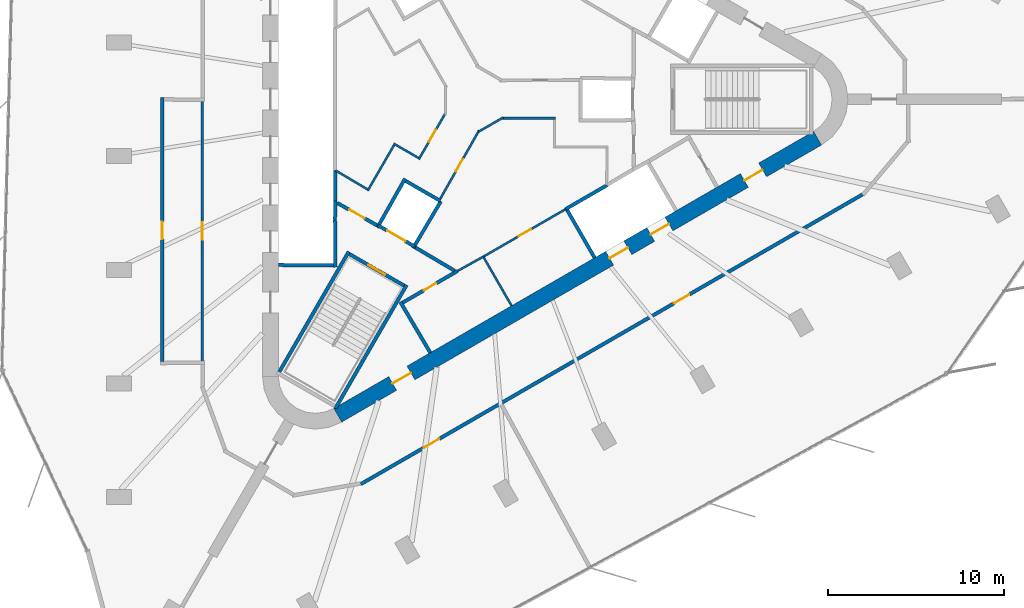
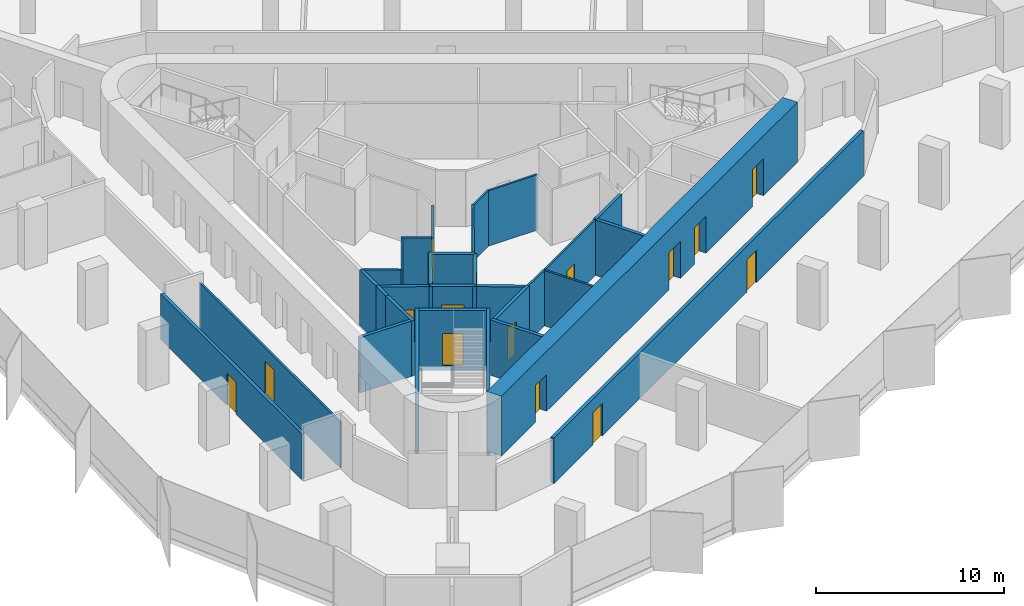
# One storey, part 8 of 13: 31 walls, 15 doors, 15 openings.
"""IFC4 building model written with IfcOpenShell, lengths in metres."""

import ifcopenshell
import ifcopenshell.guid

model = None  # the IFC model being written
_history = None  # IfcOwnerHistory: only IFC2X3 demands one
_inside = {}  # id of a spatial element -> (the spatial element, [elements in it])
_under = {}  # id of a project, library or spatial element -> (it, [spatial elements below it])
_declared = {}  # id of a project -> (the project, [libraries it declares])
_typed = {}  # id of a type object -> (the type object, [elements of that type])
_made_of = {}  # id of a material, layer set ... -> (it, [elements and type objects made of it])


def new_model(schema):
    """Start an empty IFC model of exactly this schema.

    Asked for "IFC4X3", IfcOpenShell would pick the latest addendum, in which some entities
    have other attributes; the version numbers below select the first issue.
    IFC2X3 requires an IfcOwnerHistory on every rooted entity: one is made here for all.
    """
    global model, _history
    if schema == "IFC4X3":
        model = ifcopenshell.file(schema_version=(4, 3, 0, 0))
    else:
        model = ifcopenshell.file(schema=schema)
    _inside.clear()
    _under.clear()
    _declared.clear()
    _typed.clear()
    _made_of.clear()
    _history = None
    if model.schema == "IFC2X3":
        org = make("IfcOrganization", Name="unknown")
        user = make(
            "IfcPersonAndOrganization",
            ThePerson=make("IfcPerson", FamilyName="unknown"),
            TheOrganization=org,
        )
        app = make(
            "IfcApplication",
            ApplicationDeveloper=org,
            Version="unknown",
            ApplicationFullName="unknown",
            ApplicationIdentifier="unknown",
        )
        _history = make(
            "IfcOwnerHistory",
            OwningUser=user,
            OwningApplication=app,
            ChangeAction="ADDED",
            CreationDate=0,
        )
    return model


def make(cls, **values):
    """One entity of the class cls with the attributes given. An attribute that is None is left unset."""
    return model.create_entity(
        cls, **{name: value for name, value in values.items() if value is not None}
    )


def rooted(cls, **values):
    """An entity with a GlobalId (a new one), such as an element, a storey or a relation."""
    return make(cls, GlobalId=ifcopenshell.guid.new(), OwnerHistory=_history, **values)


def si_unit(unit_type, name, prefix=None):
    """IfcSIUnit, for example si_unit("LENGTHUNIT", "METRE", prefix="MILLI")."""
    return make("IfcSIUnit", UnitType=unit_type, Prefix=prefix, Name=name)


def assignment(units):
    """IfcUnitAssignment: the units of a project."""
    return None if units is None else make("IfcUnitAssignment", Units=units)


def point(xyz):
    """IfcCartesianPoint."""
    return None if xyz is None else make("IfcCartesianPoint", Coordinates=xyz)


def direction(xyz):
    """IfcDirection."""
    return None if xyz is None else make("IfcDirection", DirectionRatios=xyz)


def frame(location, z_axis=None, x_axis=None):
    """IfcAxis2Placement3D, a coordinate frame: its origin and axes. An axis left out is left unset."""
    return make(
        "IfcAxis2Placement3D",
        Location=point(location),
        Axis=direction(z_axis),
        RefDirection=direction(x_axis),
    )


def frame_2d(location, x_axis=None):
    """IfcAxis2Placement2D, a coordinate frame in the plane: its origin and x axis."""
    return make(
        "IfcAxis2Placement2D", Location=point(location), RefDirection=direction(x_axis)
    )


def origin():
    """The frame at (0, 0, 0) with its axes left unset."""
    return frame((0.0, 0.0, 0.0))


def place(relative_to, where):
    """IfcLocalPlacement: puts the frame where relative to a parent placement (None: the world)."""
    return make(
        "IfcLocalPlacement", PlacementRelTo=relative_to, RelativePlacement=where
    )


def context(
    kind, dimensions, precision=None, world=None, true_north=None, identifier=None
):
    """IfcGeometricRepresentationContext, for example the 3D "Model" context."""
    return make(
        "IfcGeometricRepresentationContext",
        ContextIdentifier=identifier,
        ContextType=kind,
        CoordinateSpaceDimension=dimensions,
        Precision=precision,
        WorldCoordinateSystem=world,
        TrueNorth=true_north,
    )


def subcontext(parent, identifier, kind, view, scale=None):
    """IfcGeometricRepresentationSubContext, for example "Body" below "Model"."""
    return make(
        "IfcGeometricRepresentationSubContext",
        ContextIdentifier=identifier,
        ContextType=kind,
        ParentContext=parent,
        TargetScale=scale,
        TargetView=view,
    )


def project(units=None, contexts=None):
    """IfcProject with its units and contexts."""
    return rooted(
        "IfcProject",
        Name="project",
        RepresentationContexts=contexts,
        UnitsInContext=assignment(units),
    )


def spatial(cls, under=None, at=None, **own):
    """A site, building, storey or space (cls), placed at a placement, below another one or the project."""
    s = rooted(cls, ObjectPlacement=at, **own)
    if under is not None:
        _under.setdefault(under.id(), (under, []))[1].append(s)
    return s


def profile(cls, at=None, kind="AREA", **sizes):
    """A parametric profile (cls). Its sizes go by their IFC names, for example OverallWidth=200.0."""
    return make(cls, ProfileType=kind, Position=at, **sizes)


def rectangle(**sizes):
    """IfcRectangleProfileDef."""
    return profile("IfcRectangleProfileDef", **sizes)


def extrude(swept, where, along, depth):
    """IfcExtrudedAreaSolid: the profile swept, set in the frame where, extruded along a direction by depth."""
    return make(
        "IfcExtrudedAreaSolid",
        SweptArea=swept,
        Position=where,
        ExtrudedDirection=direction(along),
        Depth=depth,
    )


def shape(context_of_items, identifier, shape_type, items):
    """IfcShapeRepresentation: the items that make up one representation, for example the "Body"."""
    return make(
        "IfcShapeRepresentation",
        ContextOfItems=context_of_items,
        RepresentationIdentifier=identifier,
        RepresentationType=shape_type,
        Items=items,
    )


def material(Name=None, Category=None):
    """IfcMaterial."""
    return make("IfcMaterial", Name=Name, Category=Category)


def layer(
    of_material, thickness, ventilated=None, Name=None, Category=None, Priority=None
):
    """IfcMaterialLayer: one layer of a wall or slab, of a material (None: an air gap)."""
    return make(
        "IfcMaterialLayer",
        Material=of_material,
        LayerThickness=thickness,
        IsVentilated=ventilated,
        Name=Name,
        Category=Category,
        Priority=Priority,
    )


def layer_set(layers, Name=None):
    """IfcMaterialLayerSet."""
    return make("IfcMaterialLayerSet", MaterialLayers=layers, LayerSetName=Name)


def made_of(thing, what):
    """Note that an element or type object is made of a material, layer set ...; save() writes the relation."""
    if what is not None:
        _made_of.setdefault(what.id(), (what, []))[1].append(thing)
    return thing


def type_object(cls, material=None, **own):
    """A type object (cls), such as IfcWallType, which elements share."""
    return made_of(rooted(cls, **own), material)


def element(
    cls,
    number,
    at=None,
    inside=None,
    cuts=None,
    type_object=None,
    material=None,
    context=None,
    identifier="Body",
    shape_type=None,
    held_by="IfcProductDefinitionShape",
    body=None,
    shapes=None,
    **own,
):
    """One element of the class cls, such as IfcWall. Its Tag is "e" and its number.

    at: its placement. inside: the storey or other place that contains it. cuts: it is an
    opening in that element (IfcRelVoidsElement). A single representation is given by context,
    identifier, shape_type and body (its items); several are given by shapes. held_by: the class
    of the entity that holds the representations. save() writes the other relations.
    """
    e = rooted(cls, Tag="e%d" % number, ObjectPlacement=at, **own)
    if body is not None:
        shapes = [shape(context, identifier, shape_type, body)]
    if shapes is not None:
        e.Representation = make(held_by, Representations=shapes)
    if inside is not None:
        _inside.setdefault(inside.id(), (inside, []))[1].append(e)
    if cuts is not None:
        rooted(
            "IfcRelVoidsElement", RelatingBuildingElement=cuts, RelatedOpeningElement=e
        )
    if type_object is not None:
        _typed.setdefault(type_object.id(), (type_object, []))[1].append(e)
    return made_of(e, material)


def fill(opening, filler):
    """IfcRelFillsElement: the door or window that sits in an opening."""
    return rooted(
        "IfcRelFillsElement",
        RelatingOpeningElement=opening,
        RelatedBuildingElement=filler,
    )


def aggregate(whole, parts):
    """IfcRelAggregates: a whole, such as a stair, and the parts it consists of."""
    return rooted("IfcRelAggregates", RelatingObject=whole, RelatedObjects=parts)


def save(model, path):
    """Write the relations noted so far, then the file.

    IfcRelAggregates (storeys below a building ...), IfcRelContainedInSpatialStructure (elements
    in a storey), IfcRelDefinesByType, IfcRelAssociatesMaterial and IfcRelDeclares: one each for
    every whole, place, type object, material and project.
    """
    for whole, parts in _under.values():
        aggregate(whole, parts)
    for where, things in _inside.values():
        rooted(
            "IfcRelContainedInSpatialStructure",
            RelatedElements=things,
            RelatingStructure=where,
        )
    for kind, things in _typed.values():
        rooted("IfcRelDefinesByType", RelatedObjects=things, RelatingType=kind)
    for what, things in _made_of.values():
        rooted("IfcRelAssociatesMaterial", RelatedObjects=things, RelatingMaterial=what)
    for by, libraries in _declared.values():
        rooted("IfcRelDeclares", RelatingContext=by, RelatedDefinitions=libraries)
    model.write(path)


model = new_model("IFC4")

# Units and contexts
model_context = context("Model", 3, precision=1e-05, world=origin(), true_north=direction((0.0, 1.0)))
body_context = subcontext(model_context, "Body", "Model", "MODEL_VIEW")
ifc_project = project(units=[si_unit("LENGTHUNIT", "METRE"), si_unit("AREAUNIT", "SQUARE_METRE"), si_unit("VOLUMEUNIT", "CUBIC_METRE"), si_unit("PLANEANGLEUNIT", "RADIAN"), si_unit("MASSUNIT", "GRAM", prefix="KILO")], contexts=[model_context])

# Site, building, storey
site_placement = place(None, origin())
site = spatial("IfcSite", under=ifc_project, at=site_placement, CompositionType="ELEMENT")
building_placement = place(site_placement, origin())
building = spatial("IfcBuilding", under=site, at=building_placement, Name="Tanit Gate Tower", CompositionType="ELEMENT")
storey_placement = place(building_placement, frame((0.0, 0.0, 322.10009765625)))
storey = spatial("IfcBuildingStorey", under=building, at=storey_placement, Name="L72", CompositionType="ELEMENT", Elevation=322.10009765625)

# Wall, openings, doors
ifc_material_1 = material(Name="Concrete C40/50", Category="concrete")
ifc_layer_1 = layer(ifc_material_1, 0.89990234375)
ifc_layer_set_1 = layer_set([ifc_layer_1], Name="CORE WALL 900 C40/50")
wall_type_1 = type_object("IfcWallType", Name="CORE WALL 900 C40/50", PredefinedType="SHEAR", material=ifc_layer_set_1)
wall_1_placement = place(storey_placement, frame((-7.824951171875, -17.969970703125, 0.0), z_axis=(0.0, 0.0, 1.0), x_axis=(0.866028369851, 0.499994862586, 0.0)))
wall_1 = element("IfcWall", 1, at=wall_1_placement, inside=storey, type_object=wall_type_1, Name="CORE WALL", PredefinedType="SHEAR", context=body_context, shape_type="SweptSolid", body=[
    extrude(rectangle(XDim=31.523193359375, YDim=0.89990234375, at=frame_2d((15.76171875, 0.0))), origin(), (0.0, 0.0, 1.0), 3.89990234375),
])
opening_1_placement = place(wall_1_placement, frame((17.861572265625, 0.0, 0.0)))
opening_1 = element("IfcOpeningElement", 2, at=opening_1_placement, cuts=wall_1, Name="Opening LDSV1-S20", PredefinedType="OPENING", context=body_context, shape_type="SweptSolid", body=[
    extrude(rectangle(XDim=1.199951171875, YDim=2.39990234375, at=frame_2d((0.60009765625, 1.199951171875))), frame((0.0, 0.4599609375, 0.0), z_axis=(0.0, -1.0, 0.0), x_axis=(1.0, 0.0, 0.0)), (0.0, 0.0, 1.0), 0.919921875),
])
opening_2_placement = place(wall_1_placement, frame((20.561767578125, 0.0, 0.0)))
opening_2 = element("IfcOpeningElement", 3, at=opening_2_placement, cuts=wall_1, Name="Opening LDSV2-S20", PredefinedType="OPENING", context=body_context, shape_type="SweptSolid", body=[
    extrude(rectangle(XDim=1.199951171875, YDim=2.39990234375, at=frame_2d((0.60009765625, 1.199951171875))), frame((0.0, 0.4599609375, 0.0), z_axis=(0.0, -1.0, 0.0), x_axis=(1.0, 0.0, 0.0)), (0.0, 0.0, 1.0), 0.919921875),
])
opening_3_placement = place(wall_1_placement, frame((26.711669921875, 0.0, 0.0)))
opening_3 = element("IfcOpeningElement", 4, at=opening_3_placement, cuts=wall_1, Name="Opening F12-S20-S1", PredefinedType="OPENING", context=body_context, shape_type="SweptSolid", body=[
    extrude(rectangle(XDim=1.199951171875, YDim=2.39990234375, at=frame_2d((0.60009765625, 1.199951171875))), frame((0.0, 0.4599609375, 0.0), z_axis=(0.0, -1.0, 0.0), x_axis=(1.0, 0.0, 0.0)), (0.0, 0.0, 1.0), 0.919921875),
])
opening_4_placement = place(wall_1_placement, frame((3.611572265625, 0.0, 0.0)))
opening_4 = element("IfcOpeningElement", 5, at=opening_4_placement, cuts=wall_1, Name="Opening F12-S20-FL3", PredefinedType="OPENING", context=body_context, shape_type="SweptSolid", body=[
    extrude(rectangle(XDim=1.199951171875, YDim=2.39990234375, at=frame_2d((0.60009765625, 1.199951171875))), frame((0.0, 0.4599609375, 0.0), z_axis=(0.0, -1.0, 0.0), x_axis=(1.0, 0.0, 0.0)), (0.0, 0.0, 1.0), 0.919921875),
])
ifc_material_2 = material(Name="Fire-rated steel door leaf", Category="steel")
door_type_1 = type_object("IfcDoorType", Name="INT-DOOR-FIRE-LOBBY-1200", OperationType="NOTDEFINED", PredefinedType="USERDEFINED", material=ifc_material_2)
door_1_placement = place(opening_3_placement, origin())
door_1 = element("IfcDoor", 6, at=door_1_placement, inside=storey, type_object=door_type_1, Name="Door F12-S20-S1", ObjectType="FIRE DOOR", OperationType="SINGLE_SWING_LEFT", OverallHeight=2.39990234375, OverallWidth=1.199951171875, PredefinedType="USERDEFINED", context=body_context, shape_type="SweptSolid", body=[
    extrude(rectangle(XDim=1.199951171875, YDim=2.39990234375, at=frame_2d((0.60009765625, 1.199951171875))), frame((0.0, 0.02490234375, 0.0), z_axis=(0.0, -1.0, 0.0), x_axis=(1.0, 0.0, 0.0)), (0.0, 0.0, 1.0), 0.050048828125),
])
fill(opening_3, door_1)
door_2_placement = place(opening_4_placement, origin())
door_2 = element("IfcDoor", 7, at=door_2_placement, inside=storey, type_object=door_type_1, Name="Door F12-S20-FL3", ObjectType="FIRE DOOR", OperationType="SINGLE_SWING_RIGHT", OverallHeight=2.39990234375, OverallWidth=1.199951171875, PredefinedType="USERDEFINED", context=body_context, shape_type="SweptSolid", body=[
    extrude(rectangle(XDim=1.199951171875, YDim=2.39990234375, at=frame_2d((0.60009765625, 1.199951171875))), frame((0.0, 0.02490234375, 0.0), z_axis=(0.0, -1.0, 0.0), x_axis=(1.0, 0.0, 0.0)), (0.0, 0.0, 1.0), 0.050048828125),
])
fill(opening_4, door_2)
ifc_material_3 = material(Name="Stainless steel sliding door leaf", Category="steel")
door_type_2 = type_object("IfcDoorType", Name="INT-DOOR-LANDING-1200", OperationType="NOTDEFINED", PredefinedType="USERDEFINED", material=ifc_material_3)
door_3_placement = place(opening_1_placement, origin())
door_3 = element("IfcDoor", 8, at=door_3_placement, inside=storey, type_object=door_type_2, Name="Door LDSV1-S20", ObjectType="LANDING DOOR", OperationType="SLIDING_TO_LEFT", OverallHeight=2.39990234375, OverallWidth=1.199951171875, PredefinedType="USERDEFINED", context=body_context, shape_type="SweptSolid", body=[
    extrude(rectangle(XDim=1.199951171875, YDim=2.39990234375, at=frame_2d((0.60009765625, 1.199951171875))), frame((0.0, 0.02490234375, 0.0), z_axis=(0.0, -1.0, 0.0), x_axis=(1.0, 0.0, 0.0)), (0.0, 0.0, 1.0), 0.050048828125),
])
fill(opening_1, door_3)
door_4_placement = place(opening_2_placement, origin())
door_4 = element("IfcDoor", 9, at=door_4_placement, inside=storey, type_object=door_type_2, Name="Door LDSV2-S20", ObjectType="LANDING DOOR", OperationType="SLIDING_TO_LEFT", OverallHeight=2.39990234375, OverallWidth=1.199951171875, PredefinedType="USERDEFINED", context=body_context, shape_type="SweptSolid", body=[
    extrude(rectangle(XDim=1.199951171875, YDim=2.39990234375, at=frame_2d((0.60009765625, 1.199951171875))), frame((0.0, 0.02490234375, 0.0), z_axis=(0.0, -1.0, 0.0), x_axis=(1.0, 0.0, 0.0)), (0.0, 0.0, 1.0), 0.050048828125),
])
fill(opening_2, door_4)

# Wall
ifc_material_4 = material(Name="Fire-rated gypsum board partition")
ifc_layer_2 = layer(ifc_material_4, 0.199951171875)
ifc_layer_set_2 = layer_set([ifc_layer_2], Name="INT-WALL-COMPARTMENT")
wall_type_2 = type_object("IfcWallType", Name="INT-WALL-COMPARTMENT", PredefinedType="PARTITIONING", material=ifc_layer_set_2)
wall_2_placement = place(storey_placement, frame((-4.259765625, -11.523681640625, 0.0), z_axis=(0.0, 0.0, 1.0), x_axis=(0.507997497166, -0.861358544901, 0.0)))
element("IfcWall", 10, at=wall_2_placement, inside=storey, type_object=wall_type_2, Name="Wall Compartment W053", PredefinedType="PARTITIONING", context=body_context, shape_type="SweptSolid", body=[
    extrude(rectangle(XDim=3.350341796875, YDim=0.199951171875, at=frame_2d((1.67529296875, 0.0))), origin(), (0.0, 0.0, 1.0), 3.599853515625),
])

# Wall, opening, door
wall_3_placement = place(storey_placement, frame((-1.02392578125, -9.77099609375, 0.0), z_axis=(0.0, 0.0, 1.0), x_axis=(-0.866029903013, -0.499992207027, 0.0)))
wall_3 = element("IfcWall", 11, at=wall_3_placement, inside=storey, type_object=wall_type_2, Name="Wall Compartment W054", PredefinedType="PARTITIONING", context=body_context, shape_type="SweptSolid", body=[
    extrude(rectangle(XDim=3.57763671875, YDim=0.199951171875, at=frame_2d((1.788818359375, 0.0))), origin(), (0.0, 0.0, 1.0), 3.599853515625),
])
opening_5_placement = place(wall_3_placement, frame((1.388916015625, 0.0, 0.0)))
opening_5 = element("IfcOpeningElement", 12, at=opening_5_placement, cuts=wall_3, Name="Opening R08-S20-15", PredefinedType="OPENING", context=body_context, shape_type="SweptSolid", body=[
    extrude(rectangle(XDim=0.800048828125, YDim=2.10009765625, at=frame_2d((0.39990234375, 1.050048828125))), frame((0.0, 0.10986328125, 0.0), z_axis=(0.0, -1.0, 0.0), x_axis=(1.0, 0.0, 0.0)), (0.0, 0.0, 1.0), 0.219970703125),
])
ifc_material_5 = material(Name="Timber door leaf", Category="wood")
door_type_3 = type_object("IfcDoorType", Name="INT-DOOR-RISER-800", OperationType="NOTDEFINED", PredefinedType="USERDEFINED", material=ifc_material_5)
door_5_placement = place(opening_5_placement, origin())
door_5 = element("IfcDoor", 13, at=door_5_placement, inside=storey, type_object=door_type_3, Name="Door R08-S20-15", ObjectType="FIRE DOOR", OperationType="SINGLE_SWING_LEFT", OverallHeight=2.10009765625, OverallWidth=0.800048828125, PredefinedType="USERDEFINED", context=body_context, shape_type="SweptSolid", body=[
    extrude(rectangle(XDim=0.800048828125, YDim=2.10009765625, at=frame_2d((0.39990234375, 1.050048828125))), frame((0.0, 0.02490234375, 0.0), z_axis=(0.0, -1.0, 0.0), x_axis=(1.0, 0.0, 0.0)), (0.0, 0.0, 1.0), 0.050048828125),
])
fill(opening_5, door_5)

# Wall
wall_4_placement = place(storey_placement, frame((-3.400634765625, -8.43017578125, 0.0), z_axis=(0.0, 0.0, 1.0), x_axis=(0.860630814782, -0.509229418482, 0.0)))
element("IfcWall", 14, at=wall_4_placement, inside=storey, type_object=wall_type_2, Name="Wall Compartment W063", PredefinedType="PARTITIONING", context=body_context, shape_type="SweptSolid", body=[
    extrude(rectangle(XDim=2.581787109375, YDim=0.199951171875, at=frame_2d((1.291015625, 0.0))), origin(), (0.0, 0.0, 1.0), 3.599853515625),
])

# Wall, opening, door
wall_5_placement = place(storey_placement, frame((-7.849365234375, -5.893798828125, 0.0), z_axis=(0.0, 0.0, 1.0), x_axis=(0.871363259478, -0.490638431059, 0.0)))
wall_5 = element("IfcWall", 15, at=wall_5_placement, inside=storey, type_object=wall_type_2, Name="Wall Compartment W064", PredefinedType="PARTITIONING", context=body_context, shape_type="SweptSolid", body=[
    extrude(rectangle(XDim=2.5810546875, YDim=0.199951171875, at=frame_2d((1.29052734375, 0.0))), origin(), (0.0, 0.0, 1.0), 3.599853515625),
])
opening_6_placement = place(wall_5_placement, frame((0.79052734375, 0.0, 0.0)))
opening_6 = element("IfcOpeningElement", 16, at=opening_6_placement, cuts=wall_5, Name="Opening F10-S20-08", PredefinedType="OPENING", context=body_context, shape_type="SweptSolid", body=[
    extrude(rectangle(XDim=1.0, YDim=2.10009765625, at=frame_2d((0.5, 1.050048828125))), frame((0.0, 0.10986328125, 0.0), z_axis=(0.0, -1.0, 0.0), x_axis=(1.0, 0.0, 0.0)), (0.0, 0.0, 1.0), 0.219970703125),
])
ifc_material_6 = material(Name="Fire-rated steel door leaf", Category="steel")
door_type_4 = type_object("IfcDoorType", Name="INT-DOOR-FIRE-1000", OperationType="NOTDEFINED", PredefinedType="USERDEFINED", material=ifc_material_6)
door_6_placement = place(opening_6_placement, origin())
door_6 = element("IfcDoor", 17, at=door_6_placement, inside=storey, type_object=door_type_4, Name="Door F10-S20-08", ObjectType="FIRE DOOR", OperationType="SINGLE_SWING_RIGHT", OverallHeight=2.10009765625, OverallWidth=1.0, PredefinedType="USERDEFINED", context=body_context, shape_type="SweptSolid", body=[
    extrude(rectangle(XDim=1.0, YDim=2.10009765625, at=frame_2d((0.5, 1.050048828125))), frame((0.0, 0.02490234375, 0.0), z_axis=(0.0, -1.0, 0.0), x_axis=(1.0, 0.0, 0.0)), (0.0, 0.0, 1.0), 0.050048828125),
])
fill(opening_6, door_6)

wall_6_placement = place(storey_placement, frame((-17.800048828125, 0.10009765625, 0.0), z_axis=(0.0, 0.0, 1.0), x_axis=(0.0, -1.0, 0.0)))
wall_6 = element("IfcWall", 18, at=wall_6_placement, inside=storey, type_object=wall_type_2, Name="Wall Compartment W085", PredefinedType="PARTITIONING", context=body_context, shape_type="SweptSolid", body=[
    extrude(rectangle(XDim=15.0, YDim=0.199951171875, at=frame_2d((7.5, 0.0))), origin(), (0.0, 0.0, 1.0), 2.969970703125),
])
opening_7_placement = place(wall_6_placement, frame((7.050048828125, 0.0, 0.0)))
opening_7 = element("IfcOpeningElement", 19, at=opening_7_placement, cuts=wall_6, Name="Opening F10-S20-23", PredefinedType="OPENING", context=body_context, shape_type="SweptSolid", body=[
    extrude(rectangle(XDim=1.0, YDim=2.10009765625, at=frame_2d((0.5, 1.050048828125))), frame((0.0, 0.10986328125, 0.0), z_axis=(0.0, -1.0, 0.0), x_axis=(1.0, 0.0, 0.0)), (0.0, 0.0, 1.0), 0.219970703125),
])
door_7_placement = place(opening_7_placement, origin())
door_7 = element("IfcDoor", 20, at=door_7_placement, inside=storey, type_object=door_type_4, Name="Door F10-S20-23", ObjectType="FIRE DOOR", OperationType="SINGLE_SWING_RIGHT", OverallHeight=2.10009765625, OverallWidth=1.0, PredefinedType="USERDEFINED", context=body_context, shape_type="SweptSolid", body=[
    extrude(rectangle(XDim=1.0, YDim=2.10009765625, at=frame_2d((0.5, 1.050048828125))), frame((0.0, 0.02490234375, 0.0), z_axis=(0.0, -1.0, 0.0), x_axis=(1.0, 0.0, 0.0)), (0.0, 0.0, 1.0), 0.050048828125),
])
fill(opening_7, door_7)

# Wall, openings, doors
wall_7_placement = place(storey_placement, frame((-6.505126953125, -21.884521484375, 0.0), z_axis=(0.0, 0.0, 1.0), x_axis=(0.86602457258, 0.500001439686, 0.0)))
wall_7 = element("IfcWall", 21, at=wall_7_placement, inside=storey, type_object=wall_type_2, Name="Wall Compartment W105", PredefinedType="PARTITIONING", context=body_context, shape_type="SweptSolid", body=[
    extrude(rectangle(XDim=32.95166015625, YDim=0.199951171875, at=frame_2d((16.475830078125, 0.0))), origin(), (0.0, 0.0, 1.0), 2.969970703125),
])
opening_8_placement = place(wall_7_placement, frame((20.569091796875, 0.0, 0.0)))
opening_8 = element("IfcOpeningElement", 22, at=opening_8_placement, cuts=wall_7, Name="Opening F10-S20-27", PredefinedType="OPENING", context=body_context, shape_type="SweptSolid", body=[
    extrude(rectangle(XDim=1.0, YDim=2.10009765625, at=frame_2d((0.5, 1.050048828125))), frame((0.0, 0.10986328125, 0.0), z_axis=(0.0, -1.0, 0.0), x_axis=(1.0, 0.0, 0.0)), (0.0, 0.0, 1.0), 0.219970703125),
])
opening_9_placement = place(wall_7_placement, frame((4.143310546875, 0.0, 0.0)))
opening_9 = element("IfcOpeningElement", 23, at=opening_9_placement, cuts=wall_7, Name="Opening F10-S20-28", PredefinedType="OPENING", context=body_context, shape_type="SweptSolid", body=[
    extrude(rectangle(XDim=1.0, YDim=2.10009765625, at=frame_2d((0.5, 1.050048828125))), frame((0.0, 0.10986328125, 0.0), z_axis=(0.0, -1.0, 0.0), x_axis=(1.0, 0.0, 0.0)), (0.0, 0.0, 1.0), 0.219970703125),
])
door_8_placement = place(opening_8_placement, origin())
door_8 = element("IfcDoor", 24, at=door_8_placement, inside=storey, type_object=door_type_4, Name="Door F10-S20-27", ObjectType="FIRE DOOR", OperationType="SINGLE_SWING_RIGHT", OverallHeight=2.10009765625, OverallWidth=1.0, PredefinedType="USERDEFINED", context=body_context, shape_type="SweptSolid", body=[
    extrude(rectangle(XDim=1.0, YDim=2.10009765625, at=frame_2d((0.5, 1.050048828125))), frame((0.0, 0.02490234375, 0.0), z_axis=(0.0, -1.0, 0.0), x_axis=(1.0, 0.0, 0.0)), (0.0, 0.0, 1.0), 0.050048828125),
])
fill(opening_8, door_8)
door_9_placement = place(opening_9_placement, origin())
door_9 = element("IfcDoor", 25, at=door_9_placement, inside=storey, type_object=door_type_4, Name="Door F10-S20-28", ObjectType="FIRE DOOR", OperationType="SINGLE_SWING_RIGHT", OverallHeight=2.10009765625, OverallWidth=1.0, PredefinedType="USERDEFINED", context=body_context, shape_type="SweptSolid", body=[
    extrude(rectangle(XDim=1.0, YDim=2.10009765625, at=frame_2d((0.5, 1.050048828125))), frame((0.0, 0.02490234375, 0.0), z_axis=(0.0, -1.0, 0.0), x_axis=(1.0, 0.0, 0.0)), (0.0, 0.0, 1.0), 0.050048828125),
])
fill(opening_9, door_9)

# Walls
ifc_material_7 = material(Name="Gypsum board partition")
ifc_layer_3 = layer(ifc_material_7, 0.1201171875)
ifc_layer_set_3 = layer_set([ifc_layer_3], Name="INT-WALL-PARTITION")
wall_type_3 = type_object("IfcWallType", Name="INT-WALL-PARTITION", PredefinedType="PARTITIONING", material=ifc_layer_set_3)
wall_8_placement = place(storey_placement, frame((2.066650390625, -11.739501953125, 0.0), z_axis=(0.0, 0.0, 1.0), x_axis=(-0.499984717929, 0.866034226713, 0.0)))
element("IfcWall", 26, at=wall_8_placement, inside=storey, type_object=wall_type_3, Name="Wall Partition W052", PredefinedType="PARTITIONING", context=body_context, shape_type="SweptSolid", body=[
    extrude(rectangle(XDim=3.25, YDim=0.1201171875, at=frame_2d((1.625, 0.0))), origin(), (0.0, 0.0, 1.0), 3.599853515625),
])
wall_9_placement = place(storey_placement, frame((-1.0234375, -9.77197265625, 0.0), z_axis=(0.0, 0.0, 1.0), x_axis=(0.874290944206, 0.485402250592, 0.0)))
element("IfcWall", 27, at=wall_9_placement, inside=storey, type_object=wall_type_3, Name="Wall Partition W055", PredefinedType="PARTITIONING", context=body_context, shape_type="SweptSolid", body=[
    extrude(rectangle(XDim=1.72265625, YDim=0.1201171875, at=frame_2d((0.861328125, 0.0))), origin(), (0.0, 0.0, 1.0), 3.599853515625),
])

# Wall, opening, door
wall_10_placement = place(storey_placement, frame((0.482666015625, -8.935791015625, 0.0), z_axis=(0.0, 0.0, 1.0), x_axis=(0.866028230842, 0.499995103361, 0.0)))
wall_10 = element("IfcWall", 28, at=wall_10_placement, inside=storey, type_object=wall_type_3, Name="Wall Partition W056", PredefinedType="PARTITIONING", context=body_context, shape_type="SweptSolid", body=[
    extrude(rectangle(XDim=5.39990234375, YDim=0.1201171875, at=frame_2d((2.699951171875, 0.0))), origin(), (0.0, 0.0, 1.0), 3.599853515625),
])
opening_10_placement = place(wall_10_placement, frame((2.300048828125, 0.0, 0.0)))
opening_10 = element("IfcOpeningElement", 29, at=opening_10_placement, cuts=wall_10, Name="Opening R08-S20-16", PredefinedType="OPENING", context=body_context, shape_type="SweptSolid", body=[
    extrude(rectangle(XDim=0.800048828125, YDim=2.10009765625, at=frame_2d((0.39990234375, 1.050048828125))), frame((0.0, 0.070068359375, 0.0), z_axis=(0.0, -1.0, 0.0), x_axis=(1.0, 0.0, 0.0)), (0.0, 0.0, 1.0), 0.14013671875),
])
door_10_placement = place(opening_10_placement, origin())
door_10 = element("IfcDoor", 30, at=door_10_placement, inside=storey, type_object=door_type_3, Name="Door R08-S20-16", ObjectType="FIRE DOOR", OperationType="SINGLE_SWING_LEFT", OverallHeight=2.10009765625, OverallWidth=0.800048828125, PredefinedType="USERDEFINED", context=body_context, shape_type="SweptSolid", body=[
    extrude(rectangle(XDim=0.800048828125, YDim=2.10009765625, at=frame_2d((0.39990234375, 1.050048828125))), frame((0.0, 0.02490234375, 0.0), z_axis=(0.0, -1.0, 0.0), x_axis=(1.0, 0.0, 0.0)), (0.0, 0.0, 1.0), 0.050048828125),
])
fill(opening_10, door_10)

wall_11_placement = place(storey_placement, frame((0.223876953125, -1.760986328125, 0.0), z_axis=(0.0, 0.0, 1.0), x_axis=(-0.494327216836, -0.869275907118, 0.0)))
wall_11 = element("IfcWall", 31, at=wall_11_placement, inside=storey, type_object=wall_type_3, Name="Wall Partition W068", PredefinedType="PARTITIONING", context=body_context, shape_type="SweptSolid", body=[
    extrude(rectangle(XDim=4.487060546875, YDim=0.1201171875, at=frame_2d((2.24365234375, 0.0))), origin(), (0.0, 0.0, 1.0), 3.599853515625),
])
opening_11_placement = place(wall_11_placement, frame((1.89453125, 0.0, 0.0)))
opening_11 = element("IfcOpeningElement", 32, at=opening_11_placement, cuts=wall_11, Name="Opening R08-S20-11", PredefinedType="OPENING", context=body_context, shape_type="SweptSolid", body=[
    extrude(rectangle(XDim=0.800048828125, YDim=2.10009765625, at=frame_2d((0.39990234375, 1.050048828125))), frame((0.0, 0.070068359375, 0.0), z_axis=(0.0, -1.0, 0.0), x_axis=(1.0, 0.0, 0.0)), (0.0, 0.0, 1.0), 0.14013671875),
])
door_11_placement = place(opening_11_placement, origin())
door_11 = element("IfcDoor", 33, at=door_11_placement, inside=storey, type_object=door_type_3, Name="Door R08-S20-11", ObjectType="FIRE DOOR", OperationType="SINGLE_SWING_RIGHT", OverallHeight=2.10009765625, OverallWidth=0.800048828125, PredefinedType="USERDEFINED", context=body_context, shape_type="SweptSolid", body=[
    extrude(rectangle(XDim=0.800048828125, YDim=2.10009765625, at=frame_2d((0.39990234375, 1.050048828125))), frame((0.0, 0.02490234375, 0.0), z_axis=(0.0, -1.0, 0.0), x_axis=(1.0, 0.0, 0.0)), (0.0, 0.0, 1.0), 0.050048828125),
])
fill(opening_11, door_11)

# Walls
wall_12_placement = place(storey_placement, frame((1.60546875, -1.02294921875, 0.0), z_axis=(0.0, 0.0, 1.0), x_axis=(-0.866001581989, -0.50004125829, 0.0)))
element("IfcWall", 34, at=wall_12_placement, inside=storey, type_object=wall_type_3, Name="Wall Partition W069", PredefinedType="PARTITIONING", context=body_context, shape_type="SweptSolid", body=[
    extrude(rectangle(XDim=1.635009765625, YDim=0.1201171875, at=frame_2d((0.8173828125, 0.0))), origin(), (0.0, 0.0, 1.0), 3.599853515625),
])
wall_13_placement = place(storey_placement, frame((4.56005859375, -1.074951171875, 0.0), z_axis=(0.0, 0.0, 1.0), x_axis=(-1.0, 0.0, 0.0)))
element("IfcWall", 35, at=wall_13_placement, inside=storey, type_object=wall_type_3, Name="Wall Partition W070", PredefinedType="PARTITIONING", context=body_context, shape_type="SweptSolid", body=[
    extrude(rectangle(XDim=3.02587890625, YDim=0.1201171875, at=frame_2d((1.512939453125, 0.0))), origin(), (0.0, 0.0, 1.0), 3.599853515625),
])

# Wall, opening, door
wall_14_placement = place(storey_placement, frame((-3.2109375, -3.41162109375, 0.0), z_axis=(0.0, 0.0, 1.0), x_axis=(0.499983190554, 0.866035108505, 0.0)))
wall_14 = element("IfcWall", 36, at=wall_14_placement, inside=storey, type_object=wall_type_3, Name="Wall Partition W079", PredefinedType="PARTITIONING", context=body_context, shape_type="SweptSolid", body=[
    extrude(rectangle(XDim=3.02587890625, YDim=0.1201171875, at=frame_2d((1.512939453125, 0.0))), origin(), (0.0, 0.0, 1.0), 3.599853515625),
])
opening_12_placement = place(wall_14_placement, frame((1.142822265625, 0.0, 0.0)))
opening_12 = element("IfcOpeningElement", 37, at=opening_12_placement, cuts=wall_14, Name="Opening R08-S20-12", PredefinedType="OPENING", context=body_context, shape_type="SweptSolid", body=[
    extrude(rectangle(XDim=0.800048828125, YDim=2.10009765625, at=frame_2d((0.39990234375, 1.050048828125))), frame((0.0, 0.070068359375, 0.0), z_axis=(0.0, -1.0, 0.0), x_axis=(1.0, 0.0, 0.0)), (0.0, 0.0, 1.0), 0.14013671875),
])
door_12_placement = place(opening_12_placement, origin())
door_12 = element("IfcDoor", 38, at=door_12_placement, inside=storey, type_object=door_type_3, Name="Door R08-S20-12", ObjectType="FIRE DOOR", OperationType="SINGLE_SWING_LEFT", OverallHeight=2.10009765625, OverallWidth=0.800048828125, PredefinedType="USERDEFINED", context=body_context, shape_type="SweptSolid", body=[
    extrude(rectangle(XDim=0.800048828125, YDim=2.10009765625, at=frame_2d((0.39990234375, 1.050048828125))), frame((0.0, 0.02490234375, 0.0), z_axis=(0.0, -1.0, 0.0), x_axis=(1.0, 0.0, 0.0)), (0.0, 0.0, 1.0), 0.050048828125),
])
fill(opening_12, door_12)

# Walls
wall_15_placement = place(storey_placement, frame((-4.64013671875, -2.51708984375, 0.0), z_axis=(0.0, 0.0, 1.0), x_axis=(0.866015446554, -0.500017246033, 0.0)))
element("IfcWall", 39, at=wall_15_placement, inside=storey, type_object=wall_type_3, Name="Wall Partition W080", PredefinedType="PARTITIONING", context=body_context, shape_type="SweptSolid", body=[
    extrude(rectangle(XDim=1.625, YDim=0.1201171875, at=frame_2d((0.8125, 0.0))), origin(), (0.0, 0.0, 1.0), 3.599853515625),
])
wall_16_placement = place(storey_placement, frame((-6.1181640625, -5.197265625, 0.0), z_axis=(0.0, 0.0, 1.0), x_axis=(0.499990139034, 0.866031096941, 0.0)))
element("IfcWall", 40, at=wall_16_placement, inside=storey, type_object=wall_type_3, Name="Wall Partition W081", PredefinedType="PARTITIONING", context=body_context, shape_type="SweptSolid", body=[
    extrude(rectangle(XDim=3.0, YDim=0.1201171875, at=frame_2d((1.5, 0.0))), origin(), (0.0, 0.0, 1.0), 3.599853515625),
])
wall_17_placement = place(storey_placement, frame((-7.949951171875, -4.041015625, 0.0), z_axis=(0.0, 0.0, 1.0), x_axis=(0.860112457103, -0.510104461004, 0.0)))
element("IfcWall", 41, at=wall_17_placement, inside=storey, type_object=wall_type_3, Name="Wall Partition W082", PredefinedType="PARTITIONING", context=body_context, shape_type="SweptSolid", body=[
    extrude(rectangle(XDim=2.1044921875, YDim=0.1201171875, at=frame_2d((1.05224609375, 0.0))), origin(), (0.0, 0.0, 1.0), 3.599853515625),
])

# Wall, opening, door
wall_18_placement = place(storey_placement, frame((-15.530029296875, 0.0, 0.0), z_axis=(0.0, 0.0, 1.0), x_axis=(0.0, -1.0, 0.0)))
wall_18 = element("IfcWall", 42, at=wall_18_placement, inside=storey, type_object=wall_type_3, Name="Wall Partition W083", PredefinedType="PARTITIONING", context=body_context, shape_type="SweptSolid", body=[
    extrude(rectangle(XDim=15.0, YDim=0.1201171875, at=frame_2d((7.5, 0.0))), origin(), (0.0, 0.0, 1.0), 2.969970703125),
])
opening_13_placement = place(wall_18_placement, frame((7.0, 0.0, 0.0)))
opening_13 = element("IfcOpeningElement", 43, at=opening_13_placement, cuts=wall_18, Name="Opening D10-S20-18", PredefinedType="OPENING", context=body_context, shape_type="SweptSolid", body=[
    extrude(rectangle(XDim=1.0, YDim=2.10009765625, at=frame_2d((0.5, 1.050048828125))), frame((0.0, 0.070068359375, 0.0), z_axis=(0.0, -1.0, 0.0), x_axis=(1.0, 0.0, 0.0)), (0.0, 0.0, 1.0), 0.14013671875),
])
ifc_material_8 = material(Name="Timber door leaf", Category="wood")
door_type_5 = type_object("IfcDoorType", Name="INT-DOOR-SINGLE-1000", OperationType="NOTDEFINED", PredefinedType="NOTDEFINED", material=ifc_material_8)
door_13_placement = place(opening_13_placement, origin())
door_13 = element("IfcDoor", 44, at=door_13_placement, inside=storey, type_object=door_type_5, Name="Door D10-S20-18", OperationType="SINGLE_SWING_LEFT", OverallHeight=2.10009765625, OverallWidth=1.0, PredefinedType="NOTDEFINED", context=body_context, shape_type="SweptSolid", body=[
    extrude(rectangle(XDim=1.0, YDim=2.10009765625, at=frame_2d((0.5, 1.050048828125))), frame((0.0, 0.02490234375, 0.0), z_axis=(0.0, -1.0, 0.0), x_axis=(1.0, 0.0, 0.0)), (0.0, 0.0, 1.0), 0.050048828125),
])
fill(opening_13, door_13)

# Walls
ifc_material_9 = material(Name="Gypsum shaft wall system")
ifc_layer_4 = layer(ifc_material_9, 0.199951171875)
ifc_layer_set_4 = layer_set([ifc_layer_4], Name="INT-WALL-SHAFT")
wall_type_4 = type_object("IfcWallType", Name="INT-WALL-SHAFT", PredefinedType="PLUMBINGWALL", material=ifc_layer_set_4)
wall_19_placement = place(storey_placement, frame((-7.949951171875, -5.7724609375, 0.0), z_axis=(0.0, 0.0, 1.0), x_axis=(-0.030803413295, -0.999525462272, 0.0)))
element("IfcWall", 45, at=wall_19_placement, inside=storey, type_object=wall_type_4, Name="Wall Shaft W008", PredefinedType="PLUMBINGWALL", context=body_context, shape_type="SweptSolid", body=[
    extrude(rectangle(XDim=1.077880859375, YDim=0.199951171875, at=frame_2d((0.5390625, 0.0))), origin(), (0.0, 0.0, 1.0), 3.599853515625),
])
wall_20_placement = place(storey_placement, frame((-7.971435546875, -4.050048828125, 0.0), z_axis=(0.0, 0.0, 1.0), x_axis=(0.012042535896, -0.999927486035, 0.0)))
element("IfcWall", 46, at=wall_20_placement, inside=storey, type_object=wall_type_4, Name="Wall Shaft W009", PredefinedType="PLUMBINGWALL", context=body_context, shape_type="SweptSolid", body=[
    extrude(rectangle(XDim=1.844970703125, YDim=0.199951171875, at=frame_2d((0.92236328125, 0.0))), origin(), (0.0, 0.0, 1.0), 3.599853515625),
])
wall_21_placement = place(storey_placement, frame((-7.97900390625, -6.85009765625, 0.0), z_axis=(0.0, 0.0, 1.0), x_axis=(0.011121475088, -0.999938154483, 0.0)))
element("IfcWall", 47, at=wall_21_placement, inside=storey, type_object=wall_type_4, Name="Wall Shaft W010", PredefinedType="PLUMBINGWALL", context=body_context, shape_type="SweptSolid", body=[
    extrude(rectangle(XDim=2.7001953125, YDim=0.199951171875, at=frame_2d((1.35009765625, 0.0))), origin(), (0.0, 0.0, 1.0), 3.599853515625),
])
wall_22_placement = place(storey_placement, frame((-8.050048828125, -9.448974609375, 0.0), z_axis=(0.0, 0.0, 1.0), x_axis=(-0.999957467379, 0.009222983926, 0.0)))
element("IfcWall", 48, at=wall_22_placement, inside=storey, type_object=wall_type_4, Name="Wall Shaft W011", PredefinedType="PLUMBINGWALL", context=body_context, shape_type="SweptSolid", body=[
    extrude(rectangle(XDim=3.150146484375, YDim=0.199951171875, at=frame_2d((1.5751953125, 0.0))), origin(), (0.0, 0.0, 1.0), 3.599853515625),
])
wall_23_placement = place(storey_placement, frame((6.795166015625, -9.009521484375, 0.0), z_axis=(0.0, 0.0, 1.0), x_axis=(-0.499984717929, 0.866034226713, 0.0)))
element("IfcWall", 49, at=wall_23_placement, inside=storey, type_object=wall_type_4, Name="Wall Shaft W015", PredefinedType="PLUMBINGWALL", context=body_context, shape_type="SweptSolid", body=[
    extrude(rectangle(XDim=3.25, YDim=0.199951171875, at=frame_2d((1.625, 0.0))), origin(), (0.0, 0.0, 1.0), 3.599853515625),
])
wall_24_placement = place(storey_placement, frame((5.1591796875, -6.23583984375, 0.0), z_axis=(0.0, 0.0, 1.0), x_axis=(0.866036505625, 0.499980770555, 0.0)))
element("IfcWall", 50, at=wall_24_placement, inside=storey, type_object=wall_type_4, Name="Wall Shaft W016", PredefinedType="PLUMBINGWALL", context=body_context, shape_type="SweptSolid", body=[
    extrude(rectangle(XDim=2.69970703125, YDim=0.199951171875, at=frame_2d((1.349853515625, 0.0))), origin(), (0.0, 0.0, 1.0), 3.599853515625),
])

# Wall, opening, door
wall_25_placement = place(storey_placement, frame((-3.44580078125, -8.3681640625, 0.0), z_axis=(0.0, 0.0, 1.0), x_axis=(-0.866024647952, 0.500001309137, 0.0)))
wall_25 = element("IfcWall", 51, at=wall_25_placement, inside=storey, type_object=wall_type_4, Name="Wall Shaft W040", PredefinedType="PLUMBINGWALL", context=body_context, shape_type="SweptSolid", body=[
    extrude(rectangle(XDim=2.39990234375, YDim=0.199951171875, at=frame_2d((1.199951171875, 0.0))), origin(), (0.0, 0.0, 1.0), 3.599853515625),
])
opening_14_placement = place(wall_25_placement, frame((0.60009765625, 0.0, 0.0)))
opening_14 = element("IfcOpeningElement", 52, at=opening_14_placement, cuts=wall_25, Name="Opening LDFL3-L72", PredefinedType="OPENING", context=body_context, shape_type="SweptSolid", body=[
    extrude(rectangle(XDim=1.199951171875, YDim=2.39990234375, at=frame_2d((0.60009765625, 1.199951171875))), frame((0.0, 0.10986328125, 0.0), z_axis=(0.0, -1.0, 0.0), x_axis=(1.0, 0.0, 0.0)), (0.0, 0.0, 1.0), 0.219970703125),
])
door_14_placement = place(opening_14_placement, origin())
door_14 = element("IfcDoor", 53, at=door_14_placement, inside=storey, type_object=door_type_2, Name="Door LDFL3-L72", ObjectType="LANDING DOOR", OperationType="SLIDING_TO_LEFT", OverallHeight=2.39990234375, OverallWidth=1.199951171875, PredefinedType="USERDEFINED", context=body_context, shape_type="SweptSolid", body=[
    extrude(rectangle(XDim=1.199951171875, YDim=2.39990234375, at=frame_2d((0.60009765625, 1.199951171875))), frame((0.0, 0.02490234375, 0.0), z_axis=(0.0, -1.0, 0.0), x_axis=(1.0, 0.0, 0.0)), (0.0, 0.0, 1.0), 0.050048828125),
])
fill(opening_14, door_14)

# Walls
wall_26_placement = place(storey_placement, frame((-1.960693359375, -5.796142578125, 0.0), z_axis=(0.0, 0.0, 1.0), x_axis=(-0.508647062354, -0.860975125052, 0.0)))
element("IfcWall", 54, at=wall_26_placement, inside=storey, type_object=wall_type_4, Name="Wall Shaft W041", PredefinedType="PLUMBINGWALL", context=body_context, shape_type="SweptSolid", body=[
    extrude(rectangle(XDim=3.10009765625, YDim=0.199951171875, at=frame_2d((1.550048828125, 0.0))), origin(), (0.0, 0.0, 1.0), 3.599853515625),
])
wall_27_placement = place(storey_placement, frame((-3.989990234375, -4.509033203125, 0.0), z_axis=(0.0, 0.0, 1.0), x_axis=(-0.491358283181, -0.870957540612, 0.0)))
element("IfcWall", 55, at=wall_27_placement, inside=storey, type_object=wall_type_4, Name="Wall Shaft W042", PredefinedType="PLUMBINGWALL", context=body_context, shape_type="SweptSolid", body=[
    extrude(rectangle(XDim=3.200439453125, YDim=0.199951171875, at=frame_2d((1.60009765625, 0.0))), origin(), (0.0, 0.0, 1.0), 3.599853515625),
])
wall_28_placement = place(storey_placement, frame((-3.95263671875, -4.646240234375, 0.0), z_axis=(0.0, 0.0, 1.0), x_axis=(0.866065302921, -0.4999308863, 0.0)))
element("IfcWall", 56, at=wall_28_placement, inside=storey, type_object=wall_type_4, Name="Wall Shaft W043", PredefinedType="PLUMBINGWALL", context=body_context, shape_type="SweptSolid", body=[
    extrude(rectangle(XDim=2.264404296875, YDim=0.199951171875, at=frame_2d((1.13232421875, 0.0))), origin(), (0.0, 0.0, 1.0), 3.599853515625),
])
ifc_material_10 = material(Name="Concrete C40/50", Category="concrete")
ifc_layer_5 = layer(ifc_material_10, 0.199951171875)
ifc_layer_set_5 = layer_set([ifc_layer_5], Name="INT-WALL-STAIR")
wall_type_5 = type_object("IfcWallType", Name="INT-WALL-STAIR", PredefinedType="SHEAR", material=ifc_layer_set_5)
wall_29_placement = place(storey_placement, frame((-3.904541015625, -10.56298828125, -0.300048828125), z_axis=(0.0, 0.0, 1.0), x_axis=(-0.500012932018, -0.866017937352, 0.0)))
element("IfcWall", 57, at=wall_29_placement, inside=storey, type_object=wall_type_5, Name="Wall Stair W036", PredefinedType="SHEAR", context=body_context, shape_type="SweptSolid", body=[
    extrude(rectangle(XDim=8.099853515625, YDim=0.199951171875, at=frame_2d((4.0498046875, 0.0))), origin(), (0.0, 0.0, 1.0), 3.89990234375),
])
wall_30_placement = place(storey_placement, frame((-7.195556640625, -8.662841796875, -0.300048828125), z_axis=(0.0, 0.0, 1.0), x_axis=(-0.499997992926, -0.866026562566, 0.0)))
element("IfcWall", 58, at=wall_30_placement, inside=storey, type_object=wall_type_5, Name="Wall Stair W038", PredefinedType="SHEAR", context=body_context, shape_type="SweptSolid", body=[
    extrude(rectangle(XDim=7.89990234375, YDim=0.199951171875, at=frame_2d((3.949951171875, 0.0))), origin(), (0.0, 0.0, 1.0), 3.89990234375),
])

# Wall, opening, door
wall_31_placement = place(storey_placement, frame((-4.041259765625, -10.599365234375, -0.300048828125), z_axis=(0.0, 0.0, 1.0), x_axis=(-0.866047807691, 0.499961193289, 0.0)))
wall_31 = element("IfcWall", 59, at=wall_31_placement, inside=storey, type_object=wall_type_5, Name="Wall Stair W039", PredefinedType="SHEAR", context=body_context, shape_type="SweptSolid", body=[
    extrude(rectangle(XDim=3.599853515625, YDim=0.199951171875, at=frame_2d((1.7998046875, 0.0))), origin(), (0.0, 0.0, 1.0), 3.89990234375),
])
opening_15_placement = place(wall_31_placement, frame((1.25, 0.0, 0.300048828125)))
opening_15 = element("IfcOpeningElement", 60, at=opening_15_placement, cuts=wall_31, Name="Opening S11-S20-07", PredefinedType="OPENING", context=body_context, shape_type="SweptSolid", body=[
    extrude(rectangle(XDim=1.10009765625, YDim=2.10009765625, at=frame_2d((0.550048828125, 1.050048828125))), frame((0.0, 0.10986328125, 0.0), z_axis=(0.0, -1.0, 0.0), x_axis=(1.0, 0.0, 0.0)), (0.0, 0.0, 1.0), 0.219970703125),
])
ifc_material_11 = material(Name="Timber door leaf", Category="wood")
door_type_6 = type_object("IfcDoorType", Name="INT-DOOR-STAIR-1100", OperationType="NOTDEFINED", PredefinedType="USERDEFINED", material=ifc_material_11)
door_15_placement = place(opening_15_placement, origin())
door_15 = element("IfcDoor", 61, at=door_15_placement, inside=storey, type_object=door_type_6, Name="Door S11-S20-07", ObjectType="FIRE DOOR", OperationType="SINGLE_SWING_LEFT", OverallHeight=2.10009765625, OverallWidth=1.10009765625, PredefinedType="USERDEFINED", context=body_context, shape_type="SweptSolid", body=[
    extrude(rectangle(XDim=1.10009765625, YDim=2.10009765625, at=frame_2d((0.550048828125, 1.050048828125))), frame((0.0, 0.02490234375, 0.0), z_axis=(0.0, -1.0, 0.0), x_axis=(1.0, 0.0, 0.0)), (0.0, 0.0, 1.0), 0.050048828125),
])
fill(opening_15, door_15)

save(model, "model.ifc")
